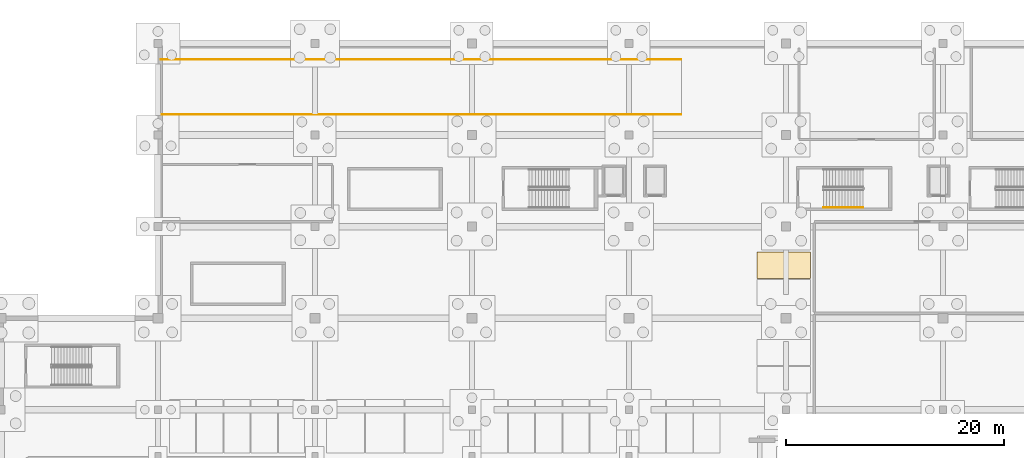
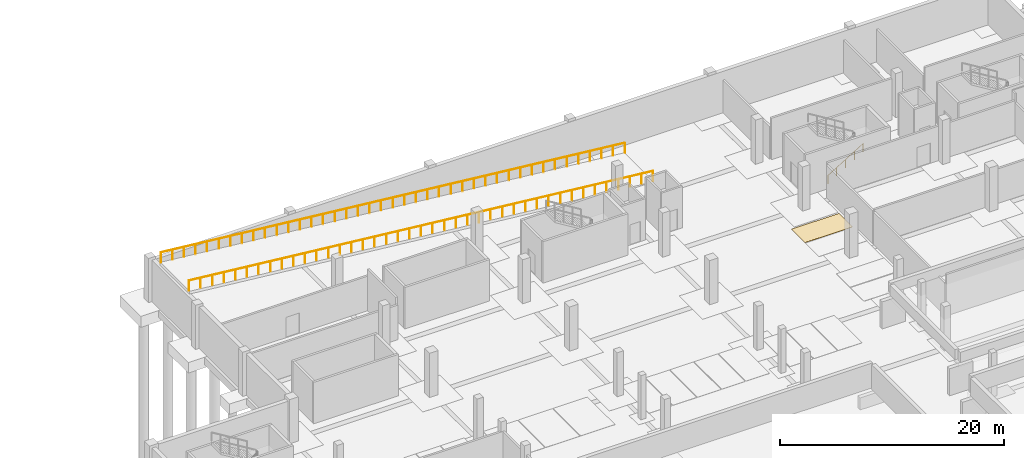
# One storey, part 24 of 26: 3 railings, 1 covering.
"""IFC4 building model written with IfcOpenShell, lengths in metres."""

from ifc_helpers import new_model, si_unit, direction, frame, origin, origin_2d, place, context, subcontext, project, spatial, polyline, circle, outline, extrude, material, layer, layer_set, type_object, element, save


model = new_model("IFC4")

# Units and contexts
model_context = context("Model", 3, precision=1e-05, world=origin(), true_north=direction((0.0, 1.0)))
body_context = subcontext(model_context, "Body", "Model", "MODEL_VIEW")
ifc_project = project(units=[si_unit("LENGTHUNIT", "METRE"), si_unit("AREAUNIT", "SQUARE_METRE"), si_unit("VOLUMEUNIT", "CUBIC_METRE"), si_unit("PLANEANGLEUNIT", "RADIAN"), si_unit("MASSUNIT", "GRAM", prefix="KILO"), si_unit("THERMODYNAMICTEMPERATUREUNIT", "KELVIN")], contexts=[model_context])

# Site, building, storey
site_placement = place(None, origin())
site = spatial("IfcSite", under=ifc_project, at=site_placement, CompositionType="ELEMENT")
building_placement = place(site_placement, origin())
building = spatial("IfcBuilding", under=site, at=building_placement, Name="Nduvali Passage Aquatics Centre", CompositionType="ELEMENT")
storey_placement = place(building_placement, frame((0.0, 0.0, -4.800048828125)))
storey = spatial("IfcBuildingStorey", under=building, at=storey_placement, Name="B01", CompositionType="ELEMENT", Elevation=-4.800048828125)

# Covering
ifc_material_1 = material(Name="Epoxy-painted concrete bay marking", Category="concrete")
ifc_layer = layer(ifc_material_1, 0.02001953125, Name="Epoxy-painted concrete bay marking")
ifc_layer_set = layer_set([ifc_layer], Name="Epoxy-painted concrete bay marking")
covering_type = type_object("IfcCoveringType", Name="INT-COV-PKSTD", PredefinedType="USERDEFINED", material=ifc_layer_set)
covering_placement = place(storey_placement, origin())
element("IfcCovering", 1, at=covering_placement, inside=storey, type_object=covering_type, Name="B01 Parking Bay 15 (B01-PK15)", ObjectType="PARKING BAY", PredefinedType="USERDEFINED", context=body_context, shape_type="SweptSolid", body=[
    extrude(outline(polyline([(94.5400390625, 96.0400390625), (99.4599609375, 96.0400390625), (99.4599609375, 98.4599609375), (94.5400390625, 98.4599609375), (94.5400390625, 96.0400390625)])), origin(), (0.0, 0.0, 1.0), 0.02001953125),
])

# Railings
ifc_material_2 = material(Name="Stainless steel balustrade", Category="steel")
railing_type_1 = type_object("IfcRailingType", Name="INT-RLG-GRD112", PredefinedType="GUARDRAIL", material=ifc_material_2)
railing_1_placement = place(storey_placement, frame((87.60009765625, 111.080078125, 0.0)))
element("IfcRailing", 2, at=railing_1_placement, inside=storey, type_object=railing_type_1, Name="Vehicle Ramp VR1 S Safety Guardrail", PredefinedType="GUARDRAIL", context=body_context, shape_type="SweptSolid", body=[
    extrude(circle(Radius=0.02392578125, at=origin_2d()), frame((0.0, 0.0, 1.1259765625), z_axis=(-0.994983290296, 0.0, 0.100041251646), x_axis=(0.0, -1.0, 0.0)), (0.0, 0.0, 1.0), 47.980712890625),
    extrude(circle(Radius=0.02099609375, at=origin_2d()), origin(), (0.0, 0.0, 1.0), 1.101806640625),
    extrude(circle(Radius=0.02099609375, at=origin_2d()), frame((-1.193603515625, 0.0, 0.1201171875)), (0.0, 0.0, 1.0), 1.101806640625),
    extrude(circle(Radius=0.02099609375, at=origin_2d()), frame((-2.386962890625, 0.0, 0.239990234375)), (0.0, 0.0, 1.0), 1.101806640625),
    extrude(circle(Radius=0.02099609375, at=origin_2d()), frame((-3.58056640625, 0.0, 0.360107421875)), (0.0, 0.0, 1.0), 1.101806640625),
    extrude(circle(Radius=0.02099609375, at=origin_2d()), frame((-4.77392578125, 0.0, 0.47998046875)), (0.0, 0.0, 1.0), 1.101806640625),
    extrude(circle(Radius=0.02099609375, at=origin_2d()), frame((-5.967529296875, 0.0, 0.60009765625)), (0.0, 0.0, 1.0), 1.101806640625),
    extrude(circle(Radius=0.02099609375, at=origin_2d()), frame((-7.160888671875, 0.0, 0.719970703125)), (0.0, 0.0, 1.0), 1.101806640625),
    extrude(circle(Radius=0.02099609375, at=origin_2d()), frame((-8.3544921875, 0.0, 0.840087890625)), (0.0, 0.0, 1.0), 1.101806640625),
    extrude(circle(Radius=0.02099609375, at=origin_2d()), frame((-9.548095703125, 0.0, 0.9599609375)), (0.0, 0.0, 1.0), 1.101806640625),
    extrude(circle(Radius=0.02099609375, at=origin_2d()), frame((-10.741455078125, 0.0, 1.080078125)), (0.0, 0.0, 1.0), 1.101806640625),
    extrude(circle(Radius=0.02099609375, at=origin_2d()), frame((-11.93505859375, 0.0, 1.199951171875)), (0.0, 0.0, 1.0), 1.101806640625),
    extrude(circle(Radius=0.02099609375, at=origin_2d()), frame((-13.12841796875, 0.0, 1.320068359375)), (0.0, 0.0, 1.0), 1.101806640625),
    extrude(circle(Radius=0.02099609375, at=origin_2d()), frame((-14.322021484375, 0.0, 1.43994140625)), (0.0, 0.0, 1.0), 1.101806640625),
    extrude(circle(Radius=0.02099609375, at=origin_2d()), frame((-15.515380859375, 0.0, 1.56005859375)), (0.0, 0.0, 1.0), 1.101806640625),
    extrude(circle(Radius=0.02099609375, at=origin_2d()), frame((-16.708984375, 0.0, 1.679931640625)), (0.0, 0.0, 1.0), 1.101806640625),
    extrude(circle(Radius=0.02099609375, at=origin_2d()), frame((-17.902587890625, 0.0, 1.800048828125)), (0.0, 0.0, 1.0), 1.101806640625),
    extrude(circle(Radius=0.02099609375, at=origin_2d()), frame((-19.095947265625, 0.0, 1.919921875)), (0.0, 0.0, 1.0), 1.101806640625),
    extrude(circle(Radius=0.02099609375, at=origin_2d()), frame((-20.28955078125, 0.0, 2.0400390625)), (0.0, 0.0, 1.0), 1.101806640625),
    extrude(circle(Radius=0.02099609375, at=origin_2d()), frame((-21.48291015625, 0.0, 2.159912109375)), (0.0, 0.0, 1.0), 1.101806640625),
    extrude(circle(Radius=0.02099609375, at=origin_2d()), frame((-22.676513671875, 0.0, 2.280029296875)), (0.0, 0.0, 1.0), 1.101806640625),
    extrude(circle(Radius=0.02099609375, at=origin_2d()), frame((-23.8701171875, 0.0, 2.39990234375)), (0.0, 0.0, 1.0), 1.101806640625),
    extrude(circle(Radius=0.02099609375, at=origin_2d()), frame((-25.0634765625, 0.0, 2.52001953125)), (0.0, 0.0, 1.0), 1.101806640625),
    extrude(circle(Radius=0.02099609375, at=origin_2d()), frame((-26.257080078125, 0.0, 2.64013671875)), (0.0, 0.0, 1.0), 1.101806640625),
    extrude(circle(Radius=0.02099609375, at=origin_2d()), frame((-27.450439453125, 0.0, 2.760009765625)), (0.0, 0.0, 1.0), 1.101806640625),
    extrude(circle(Radius=0.02099609375, at=origin_2d()), frame((-28.64404296875, 0.0, 2.880126953125)), (0.0, 0.0, 1.0), 1.101806640625),
    extrude(circle(Radius=0.02099609375, at=origin_2d()), frame((-29.83740234375, 0.0, 3.0)), (0.0, 0.0, 1.0), 1.101806640625),
    extrude(circle(Radius=0.02099609375, at=origin_2d()), frame((-31.031005859375, 0.0, 3.1201171875)), (0.0, 0.0, 1.0), 1.101806640625),
    extrude(circle(Radius=0.02099609375, at=origin_2d()), frame((-32.224609375, 0.0, 3.239990234375)), (0.0, 0.0, 1.0), 1.101806640625),
    extrude(circle(Radius=0.02099609375, at=origin_2d()), frame((-33.41796875, 0.0, 3.360107421875)), (0.0, 0.0, 1.0), 1.101806640625),
    extrude(circle(Radius=0.02099609375, at=origin_2d()), frame((-34.611572265625, 0.0, 3.47998046875)), (0.0, 0.0, 1.0), 1.101806640625),
    extrude(circle(Radius=0.02099609375, at=origin_2d()), frame((-35.804931640625, 0.0, 3.60009765625)), (0.0, 0.0, 1.0), 1.101806640625),
    extrude(circle(Radius=0.02099609375, at=origin_2d()), frame((-36.99853515625, 0.0, 3.719970703125)), (0.0, 0.0, 1.0), 1.101806640625),
    extrude(circle(Radius=0.02099609375, at=origin_2d()), frame((-38.19189453125, 0.0, 3.840087890625)), (0.0, 0.0, 1.0), 1.101806640625),
    extrude(circle(Radius=0.02099609375, at=origin_2d()), frame((-39.385498046875, 0.0, 3.9599609375)), (0.0, 0.0, 1.0), 1.101806640625),
    extrude(circle(Radius=0.02099609375, at=origin_2d()), frame((-40.5791015625, 0.0, 4.080078125)), (0.0, 0.0, 1.0), 1.101806640625),
    extrude(circle(Radius=0.02099609375, at=origin_2d()), frame((-41.7724609375, 0.0, 4.199951171875)), (0.0, 0.0, 1.0), 1.101806640625),
    extrude(circle(Radius=0.02099609375, at=origin_2d()), frame((-42.966064453125, 0.0, 4.320068359375)), (0.0, 0.0, 1.0), 1.101806640625),
    extrude(circle(Radius=0.02099609375, at=origin_2d()), frame((-44.159423828125, 0.0, 4.43994140625)), (0.0, 0.0, 1.0), 1.101806640625),
    extrude(circle(Radius=0.02099609375, at=origin_2d()), frame((-45.35302734375, 0.0, 4.56005859375)), (0.0, 0.0, 1.0), 1.101806640625),
    extrude(circle(Radius=0.02099609375, at=origin_2d()), frame((-46.54638671875, 0.0, 4.679931640625)), (0.0, 0.0, 1.0), 1.101806640625),
    extrude(circle(Radius=0.02099609375, at=origin_2d()), frame((-47.739990234375, 0.0, 4.800048828125)), (0.0, 0.0, 1.0), 1.101806640625),
])
railing_2_placement = place(storey_placement, frame((87.60009765625, 116.1201171875, 0.0)))
element("IfcRailing", 3, at=railing_2_placement, inside=storey, type_object=railing_type_1, Name="Vehicle Ramp VR1 N Safety Guardrail", PredefinedType="GUARDRAIL", context=body_context, shape_type="SweptSolid", body=[
    extrude(circle(Radius=0.02392578125, at=origin_2d()), frame((0.0, 0.0, 1.1259765625), z_axis=(-0.994983290296, 0.0, 0.100041251646), x_axis=(0.0, -1.0, 0.0)), (0.0, 0.0, 1.0), 47.980712890625),
    extrude(circle(Radius=0.02099609375, at=origin_2d()), origin(), (0.0, 0.0, 1.0), 1.101806640625),
    extrude(circle(Radius=0.02099609375, at=origin_2d()), frame((-1.193603515625, 0.0, 0.1201171875)), (0.0, 0.0, 1.0), 1.101806640625),
    extrude(circle(Radius=0.02099609375, at=origin_2d()), frame((-2.386962890625, 0.0, 0.239990234375)), (0.0, 0.0, 1.0), 1.101806640625),
    extrude(circle(Radius=0.02099609375, at=origin_2d()), frame((-3.58056640625, 0.0, 0.360107421875)), (0.0, 0.0, 1.0), 1.101806640625),
    extrude(circle(Radius=0.02099609375, at=origin_2d()), frame((-4.77392578125, 0.0, 0.47998046875)), (0.0, 0.0, 1.0), 1.101806640625),
    extrude(circle(Radius=0.02099609375, at=origin_2d()), frame((-5.967529296875, 0.0, 0.60009765625)), (0.0, 0.0, 1.0), 1.101806640625),
    extrude(circle(Radius=0.02099609375, at=origin_2d()), frame((-7.160888671875, 0.0, 0.719970703125)), (0.0, 0.0, 1.0), 1.101806640625),
    extrude(circle(Radius=0.02099609375, at=origin_2d()), frame((-8.3544921875, 0.0, 0.840087890625)), (0.0, 0.0, 1.0), 1.101806640625),
    extrude(circle(Radius=0.02099609375, at=origin_2d()), frame((-9.548095703125, 0.0, 0.9599609375)), (0.0, 0.0, 1.0), 1.101806640625),
    extrude(circle(Radius=0.02099609375, at=origin_2d()), frame((-10.741455078125, 0.0, 1.080078125)), (0.0, 0.0, 1.0), 1.101806640625),
    extrude(circle(Radius=0.02099609375, at=origin_2d()), frame((-11.93505859375, 0.0, 1.199951171875)), (0.0, 0.0, 1.0), 1.101806640625),
    extrude(circle(Radius=0.02099609375, at=origin_2d()), frame((-13.12841796875, 0.0, 1.320068359375)), (0.0, 0.0, 1.0), 1.101806640625),
    extrude(circle(Radius=0.02099609375, at=origin_2d()), frame((-14.322021484375, 0.0, 1.43994140625)), (0.0, 0.0, 1.0), 1.101806640625),
    extrude(circle(Radius=0.02099609375, at=origin_2d()), frame((-15.515380859375, 0.0, 1.56005859375)), (0.0, 0.0, 1.0), 1.101806640625),
    extrude(circle(Radius=0.02099609375, at=origin_2d()), frame((-16.708984375, 0.0, 1.679931640625)), (0.0, 0.0, 1.0), 1.101806640625),
    extrude(circle(Radius=0.02099609375, at=origin_2d()), frame((-17.902587890625, 0.0, 1.800048828125)), (0.0, 0.0, 1.0), 1.101806640625),
    extrude(circle(Radius=0.02099609375, at=origin_2d()), frame((-19.095947265625, 0.0, 1.919921875)), (0.0, 0.0, 1.0), 1.101806640625),
    extrude(circle(Radius=0.02099609375, at=origin_2d()), frame((-20.28955078125, 0.0, 2.0400390625)), (0.0, 0.0, 1.0), 1.101806640625),
    extrude(circle(Radius=0.02099609375, at=origin_2d()), frame((-21.48291015625, 0.0, 2.159912109375)), (0.0, 0.0, 1.0), 1.101806640625),
    extrude(circle(Radius=0.02099609375, at=origin_2d()), frame((-22.676513671875, 0.0, 2.280029296875)), (0.0, 0.0, 1.0), 1.101806640625),
    extrude(circle(Radius=0.02099609375, at=origin_2d()), frame((-23.8701171875, 0.0, 2.39990234375)), (0.0, 0.0, 1.0), 1.101806640625),
    extrude(circle(Radius=0.02099609375, at=origin_2d()), frame((-25.0634765625, 0.0, 2.52001953125)), (0.0, 0.0, 1.0), 1.101806640625),
    extrude(circle(Radius=0.02099609375, at=origin_2d()), frame((-26.257080078125, 0.0, 2.64013671875)), (0.0, 0.0, 1.0), 1.101806640625),
    extrude(circle(Radius=0.02099609375, at=origin_2d()), frame((-27.450439453125, 0.0, 2.760009765625)), (0.0, 0.0, 1.0), 1.101806640625),
    extrude(circle(Radius=0.02099609375, at=origin_2d()), frame((-28.64404296875, 0.0, 2.880126953125)), (0.0, 0.0, 1.0), 1.101806640625),
    extrude(circle(Radius=0.02099609375, at=origin_2d()), frame((-29.83740234375, 0.0, 3.0)), (0.0, 0.0, 1.0), 1.101806640625),
    extrude(circle(Radius=0.02099609375, at=origin_2d()), frame((-31.031005859375, 0.0, 3.1201171875)), (0.0, 0.0, 1.0), 1.101806640625),
    extrude(circle(Radius=0.02099609375, at=origin_2d()), frame((-32.224609375, 0.0, 3.239990234375)), (0.0, 0.0, 1.0), 1.101806640625),
    extrude(circle(Radius=0.02099609375, at=origin_2d()), frame((-33.41796875, 0.0, 3.360107421875)), (0.0, 0.0, 1.0), 1.101806640625),
    extrude(circle(Radius=0.02099609375, at=origin_2d()), frame((-34.611572265625, 0.0, 3.47998046875)), (0.0, 0.0, 1.0), 1.101806640625),
    extrude(circle(Radius=0.02099609375, at=origin_2d()), frame((-35.804931640625, 0.0, 3.60009765625)), (0.0, 0.0, 1.0), 1.101806640625),
    extrude(circle(Radius=0.02099609375, at=origin_2d()), frame((-36.99853515625, 0.0, 3.719970703125)), (0.0, 0.0, 1.0), 1.101806640625),
    extrude(circle(Radius=0.02099609375, at=origin_2d()), frame((-38.19189453125, 0.0, 3.840087890625)), (0.0, 0.0, 1.0), 1.101806640625),
    extrude(circle(Radius=0.02099609375, at=origin_2d()), frame((-39.385498046875, 0.0, 3.9599609375)), (0.0, 0.0, 1.0), 1.101806640625),
    extrude(circle(Radius=0.02099609375, at=origin_2d()), frame((-40.5791015625, 0.0, 4.080078125)), (0.0, 0.0, 1.0), 1.101806640625),
    extrude(circle(Radius=0.02099609375, at=origin_2d()), frame((-41.7724609375, 0.0, 4.199951171875)), (0.0, 0.0, 1.0), 1.101806640625),
    extrude(circle(Radius=0.02099609375, at=origin_2d()), frame((-42.966064453125, 0.0, 4.320068359375)), (0.0, 0.0, 1.0), 1.101806640625),
    extrude(circle(Radius=0.02099609375, at=origin_2d()), frame((-44.159423828125, 0.0, 4.43994140625)), (0.0, 0.0, 1.0), 1.101806640625),
    extrude(circle(Radius=0.02099609375, at=origin_2d()), frame((-45.35302734375, 0.0, 4.56005859375)), (0.0, 0.0, 1.0), 1.101806640625),
    extrude(circle(Radius=0.02099609375, at=origin_2d()), frame((-46.54638671875, 0.0, 4.679931640625)), (0.0, 0.0, 1.0), 1.101806640625),
    extrude(circle(Radius=0.02099609375, at=origin_2d()), frame((-47.739990234375, 0.0, 4.800048828125)), (0.0, 0.0, 1.0), 1.101806640625),
])
railing_type_2 = type_object("IfcRailingType", Name="INT-RLG-HND90", PredefinedType="HANDRAIL", material=ifc_material_2)
railing_3_placement = place(storey_placement, frame((100.64990234375, 102.550048828125, 0.346435546875)))
element("IfcRailing", 4, at=railing_3_placement, inside=storey, type_object=railing_type_2, Name="B01 ST11 stair handrail 1", PredefinedType="HANDRAIL", context=body_context, shape_type="SweptSolid", body=[
    extrude(circle(Radius=0.02392578125, at=origin_2d()), frame((0.0, 0.0, 0.8759765625), z_axis=(0.852865859571, 0.0, 0.52213008492), x_axis=(0.0, 1.0, 0.0)), (0.0, 0.0, 1.0), 4.26806640625),
    extrude(circle(Radius=0.02099609375, at=origin_2d()), origin(), (0.0, 0.0, 1.0), 0.851806640625),
    extrude(circle(Radius=0.02099609375, at=origin_2d()), frame((0.91015625, 0.0, 0.55712890625)), (0.0, 0.0, 1.0), 0.851806640625),
    extrude(circle(Radius=0.02099609375, at=origin_2d()), frame((1.820068359375, 0.0, 1.1142578125)), (0.0, 0.0, 1.0), 0.851806640625),
    extrude(circle(Radius=0.02099609375, at=origin_2d()), frame((2.72998046875, 0.0, 1.67138671875)), (0.0, 0.0, 1.0), 0.851806640625),
    extrude(circle(Radius=0.02099609375, at=origin_2d()), frame((3.64013671875, 0.0, 2.228515625)), (0.0, 0.0, 1.0), 0.851806640625),
])

save(model, "model.ifc")
